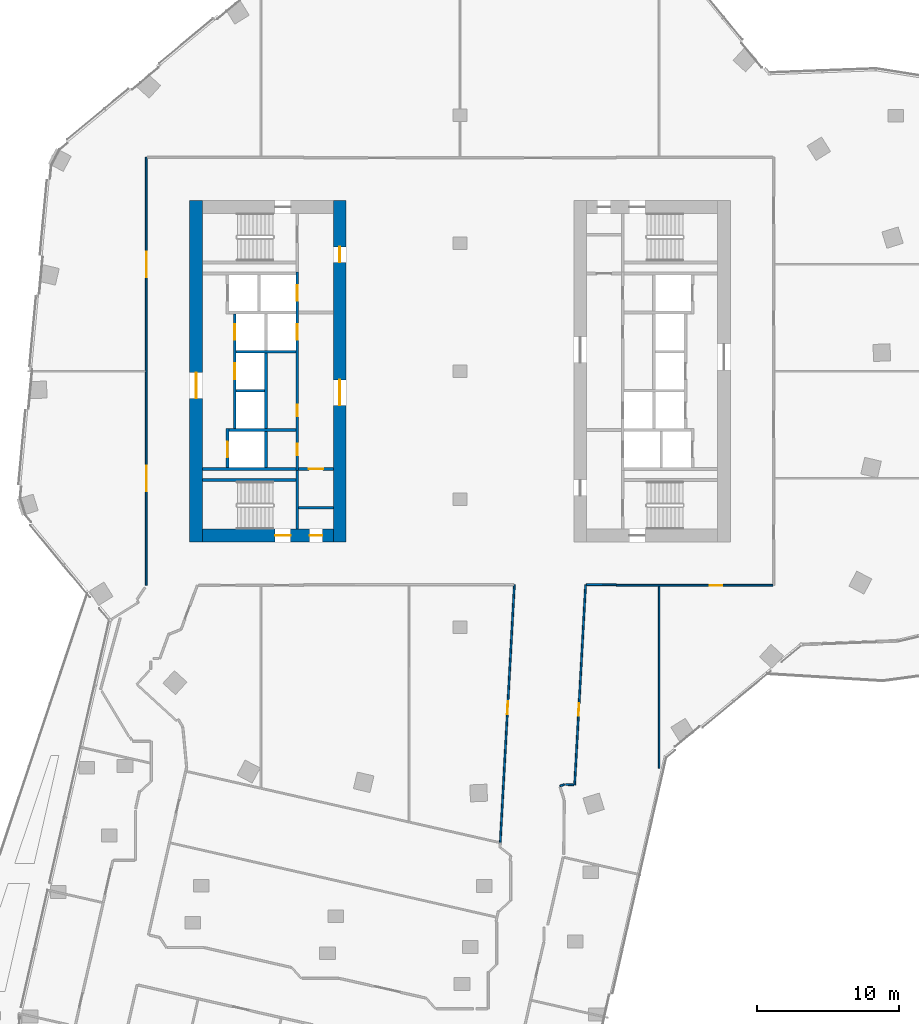
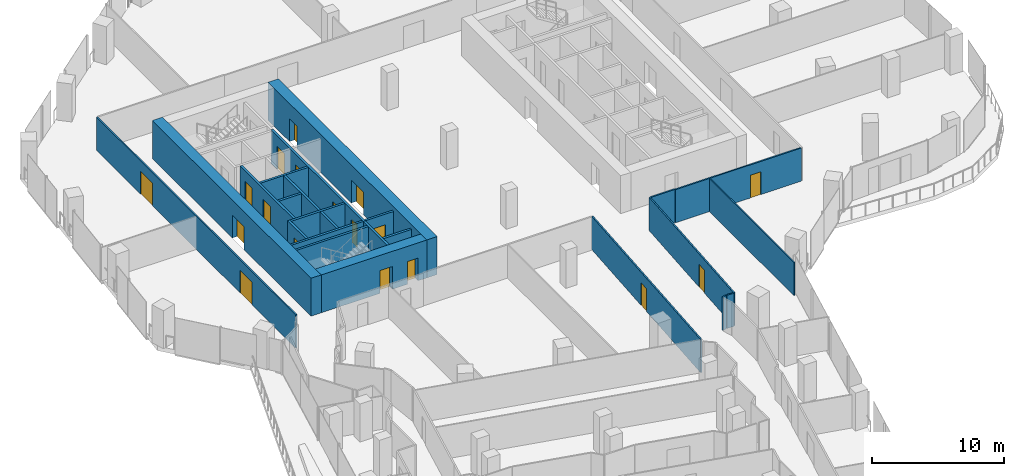
# One storey, part 20 of 28: 24 walls, 18 doors, 18 openings.
"""IFC4 building model written with IfcOpenShell, lengths in metres."""

import ifcopenshell
import ifcopenshell.guid

model = None  # the IFC model being written
_history = None  # IfcOwnerHistory: only IFC2X3 demands one
_inside = {}  # id of a spatial element -> (the spatial element, [elements in it])
_under = {}  # id of a project, library or spatial element -> (it, [spatial elements below it])
_declared = {}  # id of a project -> (the project, [libraries it declares])
_typed = {}  # id of a type object -> (the type object, [elements of that type])
_made_of = {}  # id of a material, layer set ... -> (it, [elements and type objects made of it])


def new_model(schema):
    """Start an empty IFC model of exactly this schema.

    Asked for "IFC4X3", IfcOpenShell would pick the latest addendum, in which some entities
    have other attributes; the version numbers below select the first issue.
    IFC2X3 requires an IfcOwnerHistory on every rooted entity: one is made here for all.
    """
    global model, _history
    if schema == "IFC4X3":
        model = ifcopenshell.file(schema_version=(4, 3, 0, 0))
    else:
        model = ifcopenshell.file(schema=schema)
    _inside.clear()
    _under.clear()
    _declared.clear()
    _typed.clear()
    _made_of.clear()
    _history = None
    if model.schema == "IFC2X3":
        org = make("IfcOrganization", Name="unknown")
        user = make(
            "IfcPersonAndOrganization",
            ThePerson=make("IfcPerson", FamilyName="unknown"),
            TheOrganization=org,
        )
        app = make(
            "IfcApplication",
            ApplicationDeveloper=org,
            Version="unknown",
            ApplicationFullName="unknown",
            ApplicationIdentifier="unknown",
        )
        _history = make(
            "IfcOwnerHistory",
            OwningUser=user,
            OwningApplication=app,
            ChangeAction="ADDED",
            CreationDate=0,
        )
    return model


def make(cls, **values):
    """One entity of the class cls with the attributes given. An attribute that is None is left unset."""
    return model.create_entity(
        cls, **{name: value for name, value in values.items() if value is not None}
    )


def rooted(cls, **values):
    """An entity with a GlobalId (a new one), such as an element, a storey or a relation."""
    return make(cls, GlobalId=ifcopenshell.guid.new(), OwnerHistory=_history, **values)


def si_unit(unit_type, name, prefix=None):
    """IfcSIUnit, for example si_unit("LENGTHUNIT", "METRE", prefix="MILLI")."""
    return make("IfcSIUnit", UnitType=unit_type, Prefix=prefix, Name=name)


def assignment(units):
    """IfcUnitAssignment: the units of a project."""
    return None if units is None else make("IfcUnitAssignment", Units=units)


def point(xyz):
    """IfcCartesianPoint."""
    return None if xyz is None else make("IfcCartesianPoint", Coordinates=xyz)


def direction(xyz):
    """IfcDirection."""
    return None if xyz is None else make("IfcDirection", DirectionRatios=xyz)


def frame(location, z_axis=None, x_axis=None):
    """IfcAxis2Placement3D, a coordinate frame: its origin and axes. An axis left out is left unset."""
    return make(
        "IfcAxis2Placement3D",
        Location=point(location),
        Axis=direction(z_axis),
        RefDirection=direction(x_axis),
    )


def frame_2d(location, x_axis=None):
    """IfcAxis2Placement2D, a coordinate frame in the plane: its origin and x axis."""
    return make(
        "IfcAxis2Placement2D", Location=point(location), RefDirection=direction(x_axis)
    )


def origin():
    """The frame at (0, 0, 0) with its axes left unset."""
    return frame((0.0, 0.0, 0.0))


def place(relative_to, where):
    """IfcLocalPlacement: puts the frame where relative to a parent placement (None: the world)."""
    return make(
        "IfcLocalPlacement", PlacementRelTo=relative_to, RelativePlacement=where
    )


def context(
    kind, dimensions, precision=None, world=None, true_north=None, identifier=None
):
    """IfcGeometricRepresentationContext, for example the 3D "Model" context."""
    return make(
        "IfcGeometricRepresentationContext",
        ContextIdentifier=identifier,
        ContextType=kind,
        CoordinateSpaceDimension=dimensions,
        Precision=precision,
        WorldCoordinateSystem=world,
        TrueNorth=true_north,
    )


def subcontext(parent, identifier, kind, view, scale=None):
    """IfcGeometricRepresentationSubContext, for example "Body" below "Model"."""
    return make(
        "IfcGeometricRepresentationSubContext",
        ContextIdentifier=identifier,
        ContextType=kind,
        ParentContext=parent,
        TargetScale=scale,
        TargetView=view,
    )


def project(units=None, contexts=None):
    """IfcProject with its units and contexts."""
    return rooted(
        "IfcProject",
        Name="project",
        RepresentationContexts=contexts,
        UnitsInContext=assignment(units),
    )


def spatial(cls, under=None, at=None, **own):
    """A site, building, storey or space (cls), placed at a placement, below another one or the project."""
    s = rooted(cls, ObjectPlacement=at, **own)
    if under is not None:
        _under.setdefault(under.id(), (under, []))[1].append(s)
    return s


def profile(cls, at=None, kind="AREA", **sizes):
    """A parametric profile (cls). Its sizes go by their IFC names, for example OverallWidth=200.0."""
    return make(cls, ProfileType=kind, Position=at, **sizes)


def rectangle(**sizes):
    """IfcRectangleProfileDef."""
    return profile("IfcRectangleProfileDef", **sizes)


def extrude(swept, where, along, depth):
    """IfcExtrudedAreaSolid: the profile swept, set in the frame where, extruded along a direction by depth."""
    return make(
        "IfcExtrudedAreaSolid",
        SweptArea=swept,
        Position=where,
        ExtrudedDirection=direction(along),
        Depth=depth,
    )


def shape(context_of_items, identifier, shape_type, items):
    """IfcShapeRepresentation: the items that make up one representation, for example the "Body"."""
    return make(
        "IfcShapeRepresentation",
        ContextOfItems=context_of_items,
        RepresentationIdentifier=identifier,
        RepresentationType=shape_type,
        Items=items,
    )


def material(Name=None, Category=None):
    """IfcMaterial."""
    return make("IfcMaterial", Name=Name, Category=Category)


def layer(
    of_material, thickness, ventilated=None, Name=None, Category=None, Priority=None
):
    """IfcMaterialLayer: one layer of a wall or slab, of a material (None: an air gap)."""
    return make(
        "IfcMaterialLayer",
        Material=of_material,
        LayerThickness=thickness,
        IsVentilated=ventilated,
        Name=Name,
        Category=Category,
        Priority=Priority,
    )


def layer_set(layers, Name=None):
    """IfcMaterialLayerSet."""
    return make("IfcMaterialLayerSet", MaterialLayers=layers, LayerSetName=Name)


def made_of(thing, what):
    """Note that an element or type object is made of a material, layer set ...; save() writes the relation."""
    if what is not None:
        _made_of.setdefault(what.id(), (what, []))[1].append(thing)
    return thing


def type_object(cls, material=None, **own):
    """A type object (cls), such as IfcWallType, which elements share."""
    return made_of(rooted(cls, **own), material)


def element(
    cls,
    number,
    at=None,
    inside=None,
    cuts=None,
    type_object=None,
    material=None,
    context=None,
    identifier="Body",
    shape_type=None,
    held_by="IfcProductDefinitionShape",
    body=None,
    shapes=None,
    **own,
):
    """One element of the class cls, such as IfcWall. Its Tag is "e" and its number.

    at: its placement. inside: the storey or other place that contains it. cuts: it is an
    opening in that element (IfcRelVoidsElement). A single representation is given by context,
    identifier, shape_type and body (its items); several are given by shapes. held_by: the class
    of the entity that holds the representations. save() writes the other relations.
    """
    e = rooted(cls, Tag="e%d" % number, ObjectPlacement=at, **own)
    if body is not None:
        shapes = [shape(context, identifier, shape_type, body)]
    if shapes is not None:
        e.Representation = make(held_by, Representations=shapes)
    if inside is not None:
        _inside.setdefault(inside.id(), (inside, []))[1].append(e)
    if cuts is not None:
        rooted(
            "IfcRelVoidsElement", RelatingBuildingElement=cuts, RelatedOpeningElement=e
        )
    if type_object is not None:
        _typed.setdefault(type_object.id(), (type_object, []))[1].append(e)
    return made_of(e, material)


def fill(opening, filler):
    """IfcRelFillsElement: the door or window that sits in an opening."""
    return rooted(
        "IfcRelFillsElement",
        RelatingOpeningElement=opening,
        RelatedBuildingElement=filler,
    )


def aggregate(whole, parts):
    """IfcRelAggregates: a whole, such as a stair, and the parts it consists of."""
    return rooted("IfcRelAggregates", RelatingObject=whole, RelatedObjects=parts)


def save(model, path):
    """Write the relations noted so far, then the file.

    IfcRelAggregates (storeys below a building ...), IfcRelContainedInSpatialStructure (elements
    in a storey), IfcRelDefinesByType, IfcRelAssociatesMaterial and IfcRelDeclares: one each for
    every whole, place, type object, material and project.
    """
    for whole, parts in _under.values():
        aggregate(whole, parts)
    for where, things in _inside.values():
        rooted(
            "IfcRelContainedInSpatialStructure",
            RelatedElements=things,
            RelatingStructure=where,
        )
    for kind, things in _typed.values():
        rooted("IfcRelDefinesByType", RelatedObjects=things, RelatingType=kind)
    for what, things in _made_of.values():
        rooted("IfcRelAssociatesMaterial", RelatedObjects=things, RelatingMaterial=what)
    for by, libraries in _declared.values():
        rooted("IfcRelDeclares", RelatingContext=by, RelatedDefinitions=libraries)
    model.write(path)


model = new_model("IFC4")

# Units and contexts
model_context = context("Model", 3, precision=1e-05, world=origin(), true_north=direction((0.0, 1.0)))
body_context = subcontext(model_context, "Body", "Model", "MODEL_VIEW")
ifc_project = project(units=[si_unit("LENGTHUNIT", "METRE"), si_unit("AREAUNIT", "SQUARE_METRE"), si_unit("VOLUMEUNIT", "CUBIC_METRE"), si_unit("PLANEANGLEUNIT", "RADIAN"), si_unit("MASSUNIT", "GRAM", prefix="KILO")], contexts=[model_context])

# Site, building, storey
site_placement = place(None, origin())
site = spatial("IfcSite", under=ifc_project, at=site_placement, CompositionType="ELEMENT")
building_placement = place(site_placement, origin())
building = spatial("IfcBuilding", under=site, at=building_placement, Name="Orlundy Tower", CompositionType="ELEMENT")
storey_placement = place(building_placement, frame((0.0, 0.0, 167.10009765625)))
storey = spatial("IfcBuildingStorey", under=building, at=storey_placement, Name="L43", CompositionType="ELEMENT", Elevation=167.10009765625)

# Wall, openings, doors
ifc_material_1 = material(Name="Concrete C70/85", Category="concrete")
ifc_layer_1 = layer(ifc_material_1, 0.89990234375)
ifc_layer_set_1 = layer_set([ifc_layer_1], Name="CORE WALL 900 C70/85")
wall_type_1 = type_object("IfcWallType", Name="CORE WALL 900 C70/85", PredefinedType="SHEAR", material=ifc_layer_set_1)
wall_1_placement = place(storey_placement, frame((-18.10009765625, -11.550048828125, 0.0), z_axis=(0.0, 0.0, 1.0), x_axis=(1.0, 0.0, 0.0)))
wall_1 = element("IfcWall", 1, at=wall_1_placement, inside=storey, type_object=wall_type_1, Name="Core wall W-S L43", PredefinedType="SHEAR", context=body_context, shape_type="SweptSolid", body=[
    extrude(rectangle(XDim=9.2001953125, YDim=0.89990234375, at=frame_2d((4.60009765625, 0.0))), origin(), (0.0, 0.0, 1.0), 3.5),
])
opening_1_placement = place(wall_1_placement, frame((5.10009765625, 0.0, 0.0)))
opening_1 = element("IfcOpeningElement", 2, at=opening_1_placement, cuts=wall_1, Name="Opening 34013", PredefinedType="OPENING", context=body_context, shape_type="SweptSolid", body=[
    extrude(rectangle(XDim=1.10009765625, YDim=2.10009765625, at=frame_2d((0.550048828125, 1.050048828125))), frame((0.0, 0.4599609375, 0.0), z_axis=(0.0, -1.0, 0.0), x_axis=(1.0, 0.0, 0.0)), (0.0, 0.0, 1.0), 0.919921875),
])
opening_2_placement = place(wall_1_placement, frame((7.530029296875, 0.0, 0.0)))
opening_2 = element("IfcOpeningElement", 3, at=opening_2_placement, cuts=wall_1, Name="Opening 34015", PredefinedType="OPENING", context=body_context, shape_type="SweptSolid", body=[
    extrude(rectangle(XDim=0.89990234375, YDim=2.10009765625, at=frame_2d((0.449951171875, 1.050048828125))), frame((0.0, 0.4599609375, 0.0), z_axis=(0.0, -1.0, 0.0), x_axis=(1.0, 0.0, 0.0)), (0.0, 0.0, 1.0), 0.919921875),
])
ifc_material_2 = material(Name="Timber door set", Category="wood")
door_type_1 = type_object("IfcDoorType", Name="Room Door 900x2100", OperationType="SINGLE_SWING_LEFT", PredefinedType="DOOR", material=ifc_material_2)
door_1_placement = place(opening_2_placement, origin())
door_1 = element("IfcDoor", 4, at=door_1_placement, inside=storey, type_object=door_type_1, Name="Store door 34015", OperationType="SINGLE_SWING_RIGHT", OverallHeight=2.10009765625, OverallWidth=0.89990234375, PredefinedType="DOOR", context=body_context, shape_type="SweptSolid", body=[
    extrude(rectangle(XDim=0.89990234375, YDim=2.10009765625, at=frame_2d((0.449951171875, 1.050048828125))), frame((0.0, 0.02490234375, 0.0), z_axis=(0.0, -1.0, 0.0), x_axis=(1.0, 0.0, 0.0)), (0.0, 0.0, 1.0), 0.050048828125),
])
fill(opening_2, door_1)
ifc_material_3 = material(Name="Steel door set", Category="steel")
door_type_2 = type_object("IfcDoorType", Name="Stair Door 1100x2100", OperationType="SINGLE_SWING_LEFT", PredefinedType="DOOR", material=ifc_material_3)
door_2_placement = place(opening_1_placement, origin())
door_2 = element("IfcDoor", 5, at=door_2_placement, inside=storey, type_object=door_type_2, Name="Stair door 34013", OperationType="SINGLE_SWING_RIGHT", OverallHeight=2.10009765625, OverallWidth=1.10009765625, PredefinedType="DOOR", context=body_context, shape_type="SweptSolid", body=[
    extrude(rectangle(XDim=1.10009765625, YDim=2.10009765625, at=frame_2d((0.550048828125, 1.050048828125))), frame((0.0, 0.02490234375, 0.0), z_axis=(0.0, -1.0, 0.0), x_axis=(1.0, 0.0, 0.0)), (0.0, 0.0, 1.0), 0.050048828125),
])
fill(opening_1, door_2)

# Wall, opening, door
wall_2_placement = place(storey_placement, frame((-18.550048828125, -12.0, 0.0), z_axis=(0.0, 0.0, 1.0), x_axis=(0.0, 1.0, 0.0)))
wall_2 = element("IfcWall", 6, at=wall_2_placement, inside=storey, type_object=wall_type_1, Name="Core wall W-W L43", PredefinedType="SHEAR", context=body_context, shape_type="SweptSolid", body=[
    extrude(rectangle(XDim=24.0, YDim=0.89990234375, at=frame_2d((12.0, 0.0))), origin(), (0.0, 0.0, 1.0), 3.5),
])
opening_3_placement = place(wall_2_placement, frame((10.10009765625, 0.0, 0.0)))
opening_3 = element("IfcOpeningElement", 7, at=opening_3_placement, cuts=wall_2, Name="Opening 34010", PredefinedType="OPENING", context=body_context, shape_type="SweptSolid", body=[
    extrude(rectangle(XDim=1.800048828125, YDim=2.10009765625, at=frame_2d((0.89990234375, 1.050048828125))), frame((0.0, 0.4599609375, 0.0), z_axis=(0.0, -1.0, 0.0), x_axis=(1.0, 0.0, 0.0)), (0.0, 0.0, 1.0), 0.919921875),
])
ifc_material_4 = material(Name="Timber door set", Category="wood")
door_type_3 = type_object("IfcDoorType", Name="Lobby Door 1800x2100", OperationType="DOUBLE_DOOR_DOUBLE_SWING", PredefinedType="DOOR", material=ifc_material_4)
door_3_placement = place(opening_3_placement, origin())
door_3 = element("IfcDoor", 8, at=door_3_placement, inside=storey, type_object=door_type_3, Name="Lift lobby door 34010", OperationType="SINGLE_SWING_LEFT", OverallHeight=2.10009765625, OverallWidth=1.800048828125, PredefinedType="DOOR", context=body_context, shape_type="SweptSolid", body=[
    extrude(rectangle(XDim=1.800048828125, YDim=2.10009765625, at=frame_2d((0.89990234375, 1.050048828125))), frame((0.0, 0.02490234375, 0.0), z_axis=(0.0, -1.0, 0.0), x_axis=(1.0, 0.0, 0.0)), (0.0, 0.0, 1.0), 0.050048828125),
])
fill(opening_3, door_3)

# Wall, openings, doors
wall_3_placement = place(storey_placement, frame((-8.449951171875, -12.0, 0.0), z_axis=(0.0, 0.0, 1.0), x_axis=(0.0, 1.0, 0.0)))
wall_3 = element("IfcWall", 9, at=wall_3_placement, inside=storey, type_object=wall_type_1, Name="Core wall W-E L43", PredefinedType="SHEAR", context=body_context, shape_type="SweptSolid", body=[
    extrude(rectangle(XDim=24.0, YDim=0.89990234375, at=frame_2d((12.0, 0.0))), origin(), (0.0, 0.0, 1.0), 3.5),
])
opening_4_placement = place(wall_3_placement, frame((9.60009765625, 0.0, 0.0)))
opening_4 = element("IfcOpeningElement", 10, at=opening_4_placement, cuts=wall_3, Name="Opening 34009", PredefinedType="OPENING", context=body_context, shape_type="SweptSolid", body=[
    extrude(rectangle(XDim=1.800048828125, YDim=2.10009765625, at=frame_2d((0.89990234375, 1.050048828125))), frame((0.0, 0.4599609375, 0.0), z_axis=(0.0, -1.0, 0.0), x_axis=(1.0, 0.0, 0.0)), (0.0, 0.0, 1.0), 0.919921875),
])
opening_5_placement = place(wall_3_placement, frame((19.64990234375, 0.0, 0.0)))
opening_5 = element("IfcOpeningElement", 11, at=opening_5_placement, cuts=wall_3, Name="Opening 34011", PredefinedType="OPENING", context=body_context, shape_type="SweptSolid", body=[
    extrude(rectangle(XDim=1.10009765625, YDim=2.10009765625, at=frame_2d((0.550048828125, 1.050048828125))), frame((0.0, 0.4599609375, 0.0), z_axis=(0.0, -1.0, 0.0), x_axis=(1.0, 0.0, 0.0)), (0.0, 0.0, 1.0), 0.919921875),
])
ifc_material_5 = material(Name="Steel door set", Category="steel")
door_type_4 = type_object("IfcDoorType", Name="Fire-fighting Lobby Door 1100x2100", OperationType="SINGLE_SWING_LEFT", PredefinedType="DOOR", material=ifc_material_5)
door_4_placement = place(opening_5_placement, origin())
door_4 = element("IfcDoor", 12, at=door_4_placement, inside=storey, type_object=door_type_4, Name="Fire-fighting lobby door 34011", OperationType="SINGLE_SWING_RIGHT", OverallHeight=2.10009765625, OverallWidth=1.10009765625, PredefinedType="DOOR", context=body_context, shape_type="SweptSolid", body=[
    extrude(rectangle(XDim=1.10009765625, YDim=2.10009765625, at=frame_2d((0.550048828125, 1.050048828125))), frame((0.0, 0.02490234375, 0.0), z_axis=(0.0, -1.0, 0.0), x_axis=(1.0, 0.0, 0.0)), (0.0, 0.0, 1.0), 0.050048828125),
])
fill(opening_5, door_4)
door_5_placement = place(opening_4_placement, origin())
door_5 = element("IfcDoor", 13, at=door_5_placement, inside=storey, type_object=door_type_3, Name="Lift lobby door 34009", OperationType="SINGLE_SWING_LEFT", OverallHeight=2.10009765625, OverallWidth=1.800048828125, PredefinedType="DOOR", context=body_context, shape_type="SweptSolid", body=[
    extrude(rectangle(XDim=1.800048828125, YDim=2.10009765625, at=frame_2d((0.89990234375, 1.050048828125))), frame((0.0, 0.02490234375, 0.0), z_axis=(0.0, -1.0, 0.0), x_axis=(1.0, 0.0, 0.0)), (0.0, 0.0, 1.0), 0.050048828125),
])
fill(opening_4, door_5)

# Walls
ifc_material_6 = material(Name="Gypsum board partition")
ifc_layer_2 = layer(ifc_material_6, 0.10009765625)
ifc_layer_set_2 = layer_set([ifc_layer_2], Name="Floor partition 100")
wall_type_2 = type_object("IfcWallType", Name="Floor partition 100", PredefinedType="PARTITIONING", material=ifc_layer_set_2)
wall_4_placement = place(storey_placement, frame((14.0, -27.9130859375, 0.0), z_axis=(0.0, 0.0, 1.0), x_axis=(0.0, 1.0, 0.0)))
element("IfcWall", 14, at=wall_4_placement, inside=storey, type_object=wall_type_2, Name="wall-int-L43-081", PredefinedType="PARTITIONING", context=body_context, shape_type="SweptSolid", body=[
    extrude(rectangle(XDim=12.799072265625, YDim=0.10009765625, at=frame_2d((6.3994140625, 0.0))), origin(), (0.0, 0.0, 1.0), 3.059814453125),
])
ifc_material_7 = material(Name="Gypsum board partition, double layer")
ifc_layer_3 = layer(ifc_material_7, 0.125)
ifc_layer_set_3 = layer_set([ifc_layer_3], Name="Floor partition 125")
wall_type_3 = type_object("IfcWallType", Name="Floor partition 125", PredefinedType="PARTITIONING", material=ifc_layer_set_3)
wall_5_placement = place(storey_placement, frame((7.419921875, -29.048095703125, 0.0), z_axis=(0.0, 0.0, 1.0), x_axis=(0.998362357427, -0.057206671584, 0.0)))
element("IfcWall", 15, at=wall_5_placement, inside=storey, type_object=wall_type_3, Name="wall-int-L43-026", PredefinedType="PARTITIONING", context=body_context, shape_type="SweptSolid", body=[
    extrude(rectangle(XDim=0.576171875, YDim=0.125, at=frame_2d((0.2880859375, 0.0))), origin(), (0.0, 0.0, 1.0), 3.059814453125),
])

# Wall, opening, door
wall_6_placement = place(storey_placement, frame((21.988037109375, -15.051025390625, 0.0), z_axis=(0.0, 0.0, 1.0), x_axis=(-1.0, 0.0, 0.0)))
wall_6 = element("IfcWall", 16, at=wall_6_placement, inside=storey, type_object=wall_type_3, Name="wall-int-L43-041", PredefinedType="PARTITIONING", context=body_context, shape_type="SweptSolid", body=[
    extrude(rectangle(XDim=10.9970703125, YDim=0.125, at=frame_2d((5.49853515625, 0.0))), origin(), (0.0, 0.0, 1.0), 3.059814453125),
])
opening_6_placement = place(wall_6_placement, frame((3.53759765625, 0.0, 0.0)))
opening_6 = element("IfcOpeningElement", 17, at=opening_6_placement, cuts=wall_6, Name="Opening 34115", PredefinedType="OPENING", context=body_context, shape_type="SweptSolid", body=[
    extrude(rectangle(XDim=0.89990234375, YDim=2.10009765625, at=frame_2d((0.449951171875, 1.050048828125))), frame((0.0, 0.072509765625, 0.0), z_axis=(0.0, -1.0, 0.0), x_axis=(1.0, 0.0, 0.0)), (0.0, 0.0, 1.0), 0.14501953125),
])
ifc_material_8 = material(Name="Timber door leaf", Category="wood")
door_type_5 = type_object("IfcDoorType", Name="Floor door single 900 FD30S", OperationType="NOTDEFINED", PredefinedType="DOOR", material=ifc_material_8)
door_6_placement = place(opening_6_placement, origin())
door_6 = element("IfcDoor", 18, at=door_6_placement, inside=storey, type_object=door_type_5, Name="Door 34115", OperationType="SINGLE_SWING_LEFT", OverallHeight=2.10009765625, OverallWidth=0.89990234375, PredefinedType="DOOR", context=body_context, shape_type="SweptSolid", body=[
    extrude(rectangle(XDim=0.89990234375, YDim=2.10009765625, at=frame_2d((0.449951171875, 1.050048828125))), frame((0.0, 0.02490234375, 0.0), z_axis=(0.0, -1.0, 0.0), x_axis=(1.0, 0.0, 0.0)), (0.0, 0.0, 1.0), 0.050048828125),
])
fill(opening_6, door_6)

# Walls
wall_7_placement = place(storey_placement, frame((8.889892578125, -15.0, 0.0), z_axis=(0.0, 0.0, 1.0), x_axis=(0.999999891884, -0.000465008087, 0.0)))
element("IfcWall", 19, at=wall_7_placement, inside=storey, type_object=wall_type_3, Name="wall-int-L43-043", PredefinedType="PARTITIONING", context=body_context, shape_type="SweptSolid", body=[
    extrude(rectangle(XDim=2.10009765625, YDim=0.125, at=frame_2d((1.050048828125, 0.0))), origin(), (0.0, 0.0, 1.0), 3.059814453125),
])
wall_8_placement = place(storey_placement, frame((7.01611328125, -29.15087890625, 0.0), z_axis=(0.0, 0.0, 1.0), x_axis=(0.955157326174, 0.296098771114, 0.0)))
element("IfcWall", 20, at=wall_8_placement, inside=storey, type_object=wall_type_3, Name="wall-int-L43-051", PredefinedType="PARTITIONING", context=body_context, shape_type="SweptSolid", body=[
    extrude(rectangle(XDim=0.35791015625, YDim=0.125, at=frame_2d((0.178955078125, 0.0))), origin(), (0.0, 0.0, 1.0), 3.059814453125),
])

# Wall, opening, door
wall_9_placement = place(storey_placement, frame((8.827880859375, -14.9990234375, 0.0), z_axis=(0.0, 0.0, 1.0), x_axis=(-0.054660912328, -0.998504974782, 0.0)))
wall_9 = element("IfcWall", 21, at=wall_9_placement, inside=storey, type_object=wall_type_3, Name="wall-int-L43-076", PredefinedType="PARTITIONING", context=body_context, shape_type="SweptSolid", body=[
    extrude(rectangle(XDim=14.10498046875, YDim=0.125, at=frame_2d((7.052490234375, 0.0))), origin(), (0.0, 0.0, 1.0), 3.059814453125),
])
opening_7_placement = place(wall_9_placement, frame((8.335693359375, 0.0, 0.0)))
opening_7 = element("IfcOpeningElement", 22, at=opening_7_placement, cuts=wall_9, Name="Opening 34114", PredefinedType="OPENING", context=body_context, shape_type="SweptSolid", body=[
    extrude(rectangle(XDim=0.89990234375, YDim=2.10009765625, at=frame_2d((0.449951171875, 1.050048828125))), frame((0.0, 0.072509765625, 0.0), z_axis=(0.0, -1.0, 0.0), x_axis=(1.0, 0.0, 0.0)), (0.0, 0.0, 1.0), 0.14501953125),
])
door_7_placement = place(opening_7_placement, origin())
door_7 = element("IfcDoor", 23, at=door_7_placement, inside=storey, type_object=door_type_5, Name="Door 34114", OperationType="SINGLE_SWING_RIGHT", OverallHeight=2.10009765625, OverallWidth=0.89990234375, PredefinedType="DOOR", context=body_context, shape_type="SweptSolid", body=[
    extrude(rectangle(XDim=0.89990234375, YDim=2.10009765625, at=frame_2d((0.449951171875, 1.050048828125))), frame((0.0, 0.02490234375, 0.0), z_axis=(0.0, -1.0, 0.0), x_axis=(1.0, 0.0, 0.0)), (0.0, 0.0, 1.0), 0.050048828125),
])
fill(opening_7, door_7)

wall_10_placement = place(storey_placement, frame((2.825927734375, -33.14892578125, 0.0), z_axis=(0.0, 0.0, 1.0), x_axis=(0.054748402429, 0.998500181488, 0.0)))
wall_10 = element("IfcWall", 24, at=wall_10_placement, inside=storey, type_object=wall_type_3, Name="wall-int-L43-077", PredefinedType="PARTITIONING", context=body_context, shape_type="SweptSolid", body=[
    extrude(rectangle(XDim=18.17626953125, YDim=0.125, at=frame_2d((9.088134765625, 0.0))), origin(), (0.0, 0.0, 1.0), 3.059814453125),
])
opening_8_placement = place(wall_10_placement, frame((9.05859375, 0.0, 0.0)))
opening_8 = element("IfcOpeningElement", 25, at=opening_8_placement, cuts=wall_10, Name="Opening 34113", PredefinedType="OPENING", context=body_context, shape_type="SweptSolid", body=[
    extrude(rectangle(XDim=0.89990234375, YDim=2.10009765625, at=frame_2d((0.449951171875, 1.050048828125))), frame((0.0, 0.072509765625, 0.0), z_axis=(0.0, -1.0, 0.0), x_axis=(1.0, 0.0, 0.0)), (0.0, 0.0, 1.0), 0.14501953125),
])
door_8_placement = place(opening_8_placement, origin())
door_8 = element("IfcDoor", 26, at=door_8_placement, inside=storey, type_object=door_type_5, Name="Door 34113", OperationType="SINGLE_SWING_RIGHT", OverallHeight=2.10009765625, OverallWidth=0.89990234375, PredefinedType="DOOR", context=body_context, shape_type="SweptSolid", body=[
    extrude(rectangle(XDim=0.89990234375, YDim=2.10009765625, at=frame_2d((0.449951171875, 1.050048828125))), frame((0.0, 0.02490234375, 0.0), z_axis=(0.0, -1.0, 0.0), x_axis=(1.0, 0.0, 0.0)), (0.0, 0.0, 1.0), 0.050048828125),
])
fill(opening_8, door_8)

# Wall, openings, doors
wall_11_placement = place(storey_placement, frame((-22.050048828125, -15.051025390625, 0.0), z_axis=(0.0, 0.0, 1.0), x_axis=(0.0, 1.0, 0.0)))
wall_11 = element("IfcWall", 27, at=wall_11_placement, inside=storey, type_object=wall_type_3, Name="wall-int-L43-097", PredefinedType="PARTITIONING", context=body_context, shape_type="SweptSolid", body=[
    extrude(rectangle(XDim=30.10205078125, YDim=0.125, at=frame_2d((15.051025390625, 0.0))), origin(), (0.0, 0.0, 1.0), 3.059814453125),
])
opening_9_placement = place(wall_11_placement, frame((6.60009765625, 0.0, 0.0)))
opening_9 = element("IfcOpeningElement", 28, at=opening_9_placement, cuts=wall_11, Name="Opening 34109", PredefinedType="OPENING", context=body_context, shape_type="SweptSolid", body=[
    extrude(rectangle(XDim=1.800048828125, YDim=2.10009765625, at=frame_2d((0.89990234375, 1.050048828125))), frame((0.0, 0.072509765625, 0.0), z_axis=(0.0, -1.0, 0.0), x_axis=(1.0, 0.0, 0.0)), (0.0, 0.0, 1.0), 0.14501953125),
])
opening_10_placement = place(wall_11_placement, frame((21.65087890625, 0.0, 0.0)))
opening_10 = element("IfcOpeningElement", 29, at=opening_10_placement, cuts=wall_11, Name="Opening 34122", PredefinedType="OPENING", context=body_context, shape_type="SweptSolid", body=[
    extrude(rectangle(XDim=1.800048828125, YDim=2.10009765625, at=frame_2d((0.89990234375, 1.050048828125))), frame((0.0, 0.072509765625, 0.0), z_axis=(0.0, -1.0, 0.0), x_axis=(1.0, 0.0, 0.0)), (0.0, 0.0, 1.0), 0.14501953125),
])
ifc_material_9 = material(Name="Timber door leaf", Category="wood")
door_type_6 = type_object("IfcDoorType", Name="Floor door double 1800 FD30S", OperationType="NOTDEFINED", PredefinedType="DOOR", material=ifc_material_9)
door_9_placement = place(opening_9_placement, origin())
door_9 = element("IfcDoor", 30, at=door_9_placement, inside=storey, type_object=door_type_6, Name="Door 34109", OperationType="DOUBLE_DOOR_SINGLE_SWING", OverallHeight=2.10009765625, OverallWidth=1.800048828125, PredefinedType="DOOR", context=body_context, shape_type="SweptSolid", body=[
    extrude(rectangle(XDim=1.800048828125, YDim=2.10009765625, at=frame_2d((0.89990234375, 1.050048828125))), frame((0.0, 0.02490234375, 0.0), z_axis=(0.0, -1.0, 0.0), x_axis=(1.0, 0.0, 0.0)), (0.0, 0.0, 1.0), 0.050048828125),
])
fill(opening_9, door_9)
door_10_placement = place(opening_10_placement, origin())
door_10 = element("IfcDoor", 31, at=door_10_placement, inside=storey, type_object=door_type_6, Name="Door 34122", OperationType="DOUBLE_DOOR_SINGLE_SWING", OverallHeight=2.10009765625, OverallWidth=1.800048828125, PredefinedType="DOOR", context=body_context, shape_type="SweptSolid", body=[
    extrude(rectangle(XDim=1.800048828125, YDim=2.10009765625, at=frame_2d((0.89990234375, 1.050048828125))), frame((0.0, 0.02490234375, 0.0), z_axis=(0.0, -1.0, 0.0), x_axis=(1.0, 0.0, 0.0)), (0.0, 0.0, 1.0), 0.050048828125),
])
fill(opening_10, door_10)

# Walls
ifc_material_10 = material(Name="Concrete C40/50", Category="concrete")
ifc_layer_4 = layer(ifc_material_10, 0.199951171875)
ifc_layer_set_4 = layer_set([ifc_layer_4], Name="Load-bearing Shaft Wall 200")
wall_type_4 = type_object("IfcWallType", Name="Load-bearing Shaft Wall 200", PredefinedType="SOLIDWALL", material=ifc_layer_set_4)
wall_12_placement = place(storey_placement, frame((-11.43994140625, -11.10009765625, 0.0), z_axis=(0.0, 0.0, 1.0), x_axis=(0.0, 1.0, 0.0)))
element("IfcWall", 32, at=wall_12_placement, inside=storey, type_object=wall_type_4, Name="Shaft wall W34-stair-end-s", PredefinedType="SOLIDWALL", context=body_context, shape_type="SweptSolid", body=[
    extrude(rectangle(XDim=4.125, YDim=0.199951171875, at=frame_2d((2.0625, 0.0))), origin(), (0.0, 0.0, 1.0), 3.079833984375),
])
wall_13_placement = place(storey_placement, frame((-11.5400390625, -7.64990234375, 0.0), z_axis=(0.0, 0.0, 1.0), x_axis=(-1.0, 0.0, 0.0)))
element("IfcWall", 33, at=wall_13_placement, inside=storey, type_object=wall_type_4, Name="Shaft wall W34-stair-side-s", PredefinedType="SOLIDWALL", context=body_context, shape_type="SweptSolid", body=[
    extrude(rectangle(XDim=6.56005859375, YDim=0.199951171875, at=frame_2d((3.280029296875, 0.0))), origin(), (0.0, 0.0, 1.0), 3.079833984375),
])

# Wall, opening, door
ifc_material_11 = material(Name="Gypsum board partition on steel studs", Category="steel")
ifc_layer_5 = layer(ifc_material_11, 0.199951171875)
ifc_layer_set_5 = layer_set([ifc_layer_5], Name="Partition 200")
wall_type_5 = type_object("IfcWallType", Name="Partition 200", PredefinedType="PARTITIONING", material=ifc_layer_set_5)
wall_14_placement = place(storey_placement, frame((-8.89990234375, -6.875, 0.0), z_axis=(0.0, 0.0, 1.0), x_axis=(-1.0, 0.0, 0.0)))
wall_14 = element("IfcWall", 34, at=wall_14_placement, inside=storey, type_object=wall_type_5, Name="Partition wall W34-end-s", PredefinedType="PARTITIONING", context=body_context, shape_type="SweptSolid", body=[
    extrude(rectangle(XDim=2.440185546875, YDim=0.199951171875, at=frame_2d((1.22021484375, 0.0))), origin(), (0.0, 0.0, 1.0), 3.079833984375),
])
opening_11_placement = place(wall_14_placement, frame((0.719970703125, 0.0, 0.0)))
opening_11 = element("IfcOpeningElement", 35, at=opening_11_placement, cuts=wall_14, Name="Opening 34016", PredefinedType="OPENING", context=body_context, shape_type="SweptSolid", body=[
    extrude(rectangle(XDim=1.0, YDim=2.10009765625, at=frame_2d((0.5, 1.050048828125))), frame((0.0, 0.110107421875, 0.0), z_axis=(0.0, -1.0, 0.0), x_axis=(1.0, 0.0, 0.0)), (0.0, 0.0, 1.0), 0.22021484375),
])
ifc_material_12 = material(Name="Timber door set", Category="wood")
door_type_7 = type_object("IfcDoorType", Name="Accessible Door 1000x2100", OperationType="SINGLE_SWING_LEFT", PredefinedType="DOOR", material=ifc_material_12)
door_11_placement = place(opening_11_placement, origin())
door_11 = element("IfcDoor", 36, at=door_11_placement, inside=storey, type_object=door_type_7, Name="Accessible WC door 34016", OperationType="SINGLE_SWING_RIGHT", OverallHeight=2.10009765625, OverallWidth=1.0, PredefinedType="DOOR", context=body_context, shape_type="SweptSolid", body=[
    extrude(rectangle(XDim=1.0, YDim=2.10009765625, at=frame_2d((0.5, 1.050048828125))), frame((0.0, 0.02490234375, 0.0), z_axis=(0.0, -1.0, 0.0), x_axis=(1.0, 0.0, 0.0)), (0.0, 0.0, 1.0), 0.050048828125),
])
fill(opening_11, door_11)

# Walls
wall_15_placement = place(storey_placement, frame((-8.89990234375, -9.60009765625, 0.0), z_axis=(0.0, 0.0, 1.0), x_axis=(-1.0, 0.0, 0.0)))
element("IfcWall", 37, at=wall_15_placement, inside=storey, type_object=wall_type_5, Name="Partition wall W34-room-s0", PredefinedType="PARTITIONING", context=body_context, shape_type="SweptSolid", body=[
    extrude(rectangle(XDim=2.440185546875, YDim=0.199951171875, at=frame_2d((1.22021484375, 0.0))), origin(), (0.0, 0.0, 1.0), 3.079833984375),
])
ifc_material_13 = material(Name="Fire-rated blockwork shaft wall", Category="masonry")
ifc_layer_6 = layer(ifc_material_13, 0.199951171875)
ifc_layer_set_6 = layer_set([ifc_layer_6], Name="Shaft Wall 200")
wall_type_6 = type_object("IfcWallType", Name="Shaft Wall 200", PredefinedType="SOLIDWALL", material=ifc_layer_set_6)
wall_16_placement = place(storey_placement, frame((-11.5400390625, -6.875, 0.0), z_axis=(0.0, 0.0, 1.0), x_axis=(-1.0, 0.0, 0.0)))
element("IfcWall", 38, at=wall_16_placement, inside=storey, type_object=wall_type_6, Name="Shaft wall W34-zone-s", PredefinedType="SOLIDWALL", context=body_context, shape_type="SweptSolid", body=[
    extrude(rectangle(XDim=6.56005859375, YDim=0.199951171875, at=frame_2d((3.280029296875, 0.0))), origin(), (0.0, 0.0, 1.0), 3.079833984375),
])
wall_17_placement = place(storey_placement, frame((-11.5400390625, -4.125, 0.0), z_axis=(0.0, 0.0, 1.0), x_axis=(-1.0, 0.0, 0.0)))
element("IfcWall", 39, at=wall_17_placement, inside=storey, type_object=wall_type_6, Name="Shaft wall W34-cross-4.125", PredefinedType="SOLIDWALL", context=body_context, shape_type="SweptSolid", body=[
    extrude(rectangle(XDim=4.699951171875, YDim=0.199951171875, at=frame_2d((2.35009765625, 0.0))), origin(), (0.0, 0.0, 1.0), 3.079833984375),
])
wall_18_placement = place(storey_placement, frame((-13.739990234375, -1.375, 0.0), z_axis=(0.0, 0.0, 1.0), x_axis=(-1.0, 0.0, 0.0)))
element("IfcWall", 40, at=wall_18_placement, inside=storey, type_object=wall_type_6, Name="Shaft wall W34-cross-1.375", PredefinedType="SOLIDWALL", context=body_context, shape_type="SweptSolid", body=[
    extrude(rectangle(XDim=2.0, YDim=0.199951171875, at=frame_2d((1.0, 0.0))), origin(), (0.0, 0.0, 1.0), 3.079833984375),
])
wall_19_placement = place(storey_placement, frame((-11.5400390625, 1.375, 0.0), z_axis=(0.0, 0.0, 1.0), x_axis=(-1.0, 0.0, 0.0)))
element("IfcWall", 41, at=wall_19_placement, inside=storey, type_object=wall_type_6, Name="Shaft wall W34-cross+1.375", PredefinedType="SOLIDWALL", context=body_context, shape_type="SweptSolid", body=[
    extrude(rectangle(XDim=4.199951171875, YDim=0.199951171875, at=frame_2d((2.10009765625, 0.0))), origin(), (0.0, 0.0, 1.0), 3.079833984375),
])

# Wall, openings, doors
wall_20_placement = place(storey_placement, frame((-11.43994140625, -6.97509765625, 0.0), z_axis=(0.0, 0.0, 1.0), x_axis=(0.0, 1.0, 0.0)))
wall_20 = element("IfcWall", 42, at=wall_20_placement, inside=storey, type_object=wall_type_6, Name="Shaft wall W34-front-h", PredefinedType="SOLIDWALL", context=body_context, shape_type="SweptSolid", body=[
    extrude(rectangle(XDim=13.9501953125, YDim=0.199951171875, at=frame_2d((6.97509765625, 0.0))), origin(), (0.0, 0.0, 1.0), 3.079833984375),
])
opening_12_placement = place(wall_20_placement, frame((9.175048828125, 0.0, 0.0)))
opening_12 = element("IfcOpeningElement", 43, at=opening_12_placement, cuts=wall_20, Name="Opening 34003", PredefinedType="OPENING", context=body_context, shape_type="SweptSolid", body=[
    extrude(rectangle(XDim=1.10009765625, YDim=2.10009765625, at=frame_2d((0.550048828125, 1.050048828125))), frame((0.0, 0.110107421875, 0.0), z_axis=(0.0, -1.0, 0.0), x_axis=(1.0, 0.0, 0.0)), (0.0, 0.0, 1.0), 0.22021484375),
])
opening_13_placement = place(wall_20_placement, frame((11.925048828125, 0.0, 0.0)))
opening_13 = element("IfcOpeningElement", 44, at=opening_13_placement, cuts=wall_20, Name="Opening 34005", PredefinedType="OPENING", context=body_context, shape_type="SweptSolid", body=[
    extrude(rectangle(XDim=1.10009765625, YDim=2.10009765625, at=frame_2d((0.550048828125, 1.050048828125))), frame((0.0, 0.110107421875, 0.0), z_axis=(0.0, -1.0, 0.0), x_axis=(1.0, 0.0, 0.0)), (0.0, 0.0, 1.0), 0.22021484375),
])
opening_14_placement = place(wall_20_placement, frame((1.074951171875, 0.0, 0.0)))
opening_14 = element("IfcOpeningElement", 45, at=opening_14_placement, cuts=wall_20, Name="Opening 34007", PredefinedType="OPENING", context=body_context, shape_type="SweptSolid", body=[
    extrude(rectangle(XDim=0.800048828125, YDim=2.10009765625, at=frame_2d((0.39990234375, 1.050048828125))), frame((0.0, 0.110107421875, 0.0), z_axis=(0.0, -1.0, 0.0), x_axis=(1.0, 0.0, 0.0)), (0.0, 0.0, 1.0), 0.22021484375),
])
opening_15_placement = place(wall_20_placement, frame((3.824951171875, 0.0, 0.0)))
opening_15 = element("IfcOpeningElement", 46, at=opening_15_placement, cuts=wall_20, Name="Opening 34008", PredefinedType="OPENING", context=body_context, shape_type="SweptSolid", body=[
    extrude(rectangle(XDim=0.800048828125, YDim=2.10009765625, at=frame_2d((0.39990234375, 1.050048828125))), frame((0.0, 0.110107421875, 0.0), z_axis=(0.0, -1.0, 0.0), x_axis=(1.0, 0.0, 0.0)), (0.0, 0.0, 1.0), 0.22021484375),
])
ifc_material_14 = material(Name="Steel door set", Category="steel")
door_type_8 = type_object("IfcDoorType", Name="Landing Door 1100x2100", OperationType="DOUBLE_DOOR_SLIDING", PredefinedType="DOOR", material=ifc_material_14)
door_12_placement = place(opening_12_placement, origin())
door_12 = element("IfcDoor", 47, at=door_12_placement, inside=storey, type_object=door_type_8, Name="Lift landing door LP-12 34003", OperationType="DOUBLE_DOOR_SLIDING", OverallHeight=2.10009765625, OverallWidth=1.10009765625, PredefinedType="DOOR", context=body_context, shape_type="SweptSolid", body=[
    extrude(rectangle(XDim=1.10009765625, YDim=2.10009765625, at=frame_2d((0.550048828125, 1.050048828125))), frame((0.0, 0.02490234375, 0.0), z_axis=(0.0, -1.0, 0.0), x_axis=(1.0, 0.0, 0.0)), (0.0, 0.0, 1.0), 0.050048828125),
])
fill(opening_12, door_12)
door_13_placement = place(opening_13_placement, origin())
door_13 = element("IfcDoor", 48, at=door_13_placement, inside=storey, type_object=door_type_8, Name="Lift landing door FL1 34005", OperationType="DOUBLE_DOOR_SLIDING", OverallHeight=2.10009765625, OverallWidth=1.10009765625, PredefinedType="DOOR", context=body_context, shape_type="SweptSolid", body=[
    extrude(rectangle(XDim=1.10009765625, YDim=2.10009765625, at=frame_2d((0.550048828125, 1.050048828125))), frame((0.0, 0.02490234375, 0.0), z_axis=(0.0, -1.0, 0.0), x_axis=(1.0, 0.0, 0.0)), (0.0, 0.0, 1.0), 0.050048828125),
])
fill(opening_13, door_13)
ifc_material_15 = material(Name="Timber door set", Category="wood")
door_type_9 = type_object("IfcDoorType", Name="Riser Door 800x2100", OperationType="SINGLE_SWING_LEFT", PredefinedType="DOOR", material=ifc_material_15)
door_14_placement = place(opening_14_placement, origin())
door_14 = element("IfcDoor", 49, at=door_14_placement, inside=storey, type_object=door_type_9, Name="Pantry Store door 34007", OperationType="SINGLE_SWING_LEFT", OverallHeight=2.10009765625, OverallWidth=0.800048828125, PredefinedType="DOOR", context=body_context, shape_type="SweptSolid", body=[
    extrude(rectangle(XDim=0.800048828125, YDim=2.10009765625, at=frame_2d((0.39990234375, 1.050048828125))), frame((0.0, 0.02490234375, 0.0), z_axis=(0.0, -1.0, 0.0), x_axis=(1.0, 0.0, 0.0)), (0.0, 0.0, 1.0), 0.050048828125),
])
fill(opening_14, door_14)
door_15_placement = place(opening_15_placement, origin())
door_15 = element("IfcDoor", 50, at=door_15_placement, inside=storey, type_object=door_type_9, Name="AV Store door 34008", OperationType="SINGLE_SWING_LEFT", OverallHeight=2.10009765625, OverallWidth=0.800048828125, PredefinedType="DOOR", context=body_context, shape_type="SweptSolid", body=[
    extrude(rectangle(XDim=0.800048828125, YDim=2.10009765625, at=frame_2d((0.39990234375, 1.050048828125))), frame((0.0, 0.02490234375, 0.0), z_axis=(0.0, -1.0, 0.0), x_axis=(1.0, 0.0, 0.0)), (0.0, 0.0, 1.0), 0.050048828125),
])
fill(opening_15, door_15)

# Walls
wall_21_placement = place(storey_placement, frame((-13.639892578125, -6.77490234375, 0.0), z_axis=(0.0, 0.0, 1.0), x_axis=(0.0, 1.0, 0.0)))
element("IfcWall", 51, at=wall_21_placement, inside=storey, type_object=wall_type_6, Name="Shaft wall W34-mid-a", PredefinedType="SOLIDWALL", context=body_context, shape_type="SweptSolid", body=[
    extrude(rectangle(XDim=2.5498046875, YDim=0.199951171875, at=frame_2d((1.27490234375, 0.0))), origin(), (0.0, 0.0, 1.0), 3.079833984375),
])
wall_22_placement = place(storey_placement, frame((-13.639892578125, -4.02490234375, 0.0), z_axis=(0.0, 0.0, 1.0), x_axis=(0.0, 1.0, 0.0)))
element("IfcWall", 52, at=wall_22_placement, inside=storey, type_object=wall_type_6, Name="Shaft wall W34-mid-a.1", PredefinedType="SOLIDWALL", context=body_context, shape_type="SweptSolid", body=[
    extrude(rectangle(XDim=5.2998046875, YDim=0.199951171875, at=frame_2d((2.64990234375, 0.0))), origin(), (0.0, 0.0, 1.0), 3.079833984375),
])

# Wall, opening, door
wall_23_placement = place(storey_placement, frame((-16.340087890625, -6.77490234375, 0.0), z_axis=(0.0, 0.0, 1.0), x_axis=(0.0, 1.0, 0.0)))
wall_23 = element("IfcWall", 53, at=wall_23_placement, inside=storey, type_object=wall_type_6, Name="Shaft wall W34-front-o-a", PredefinedType="SOLIDWALL", context=body_context, shape_type="SweptSolid", body=[
    extrude(rectangle(XDim=2.75, YDim=0.199951171875, at=frame_2d((1.375, 0.0))), origin(), (0.0, 0.0, 1.0), 3.079833984375),
])
opening_16_placement = place(wall_23_placement, frame((0.72509765625, 0.0, 0.0)))
opening_16 = element("IfcOpeningElement", 54, at=opening_16_placement, cuts=wall_23, Name="Opening 34001", PredefinedType="OPENING", context=body_context, shape_type="SweptSolid", body=[
    extrude(rectangle(XDim=1.10009765625, YDim=2.10009765625, at=frame_2d((0.550048828125, 1.050048828125))), frame((0.0, 0.110107421875, 0.0), z_axis=(0.0, -1.0, 0.0), x_axis=(1.0, 0.0, 0.0)), (0.0, 0.0, 1.0), 0.22021484375),
])
door_16_placement = place(opening_16_placement, origin())
door_16 = element("IfcDoor", 55, at=door_16_placement, inside=storey, type_object=door_type_8, Name="Lift landing door LV-01 34001", OperationType="DOUBLE_DOOR_SLIDING", OverallHeight=2.10009765625, OverallWidth=1.10009765625, PredefinedType="DOOR", context=body_context, shape_type="SweptSolid", body=[
    extrude(rectangle(XDim=1.10009765625, YDim=2.10009765625, at=frame_2d((0.550048828125, 1.050048828125))), frame((0.0, 0.02490234375, 0.0), z_axis=(0.0, -1.0, 0.0), x_axis=(1.0, 0.0, 0.0)), (0.0, 0.0, 1.0), 0.050048828125),
])
fill(opening_16, door_16)

# Wall, openings, doors
wall_24_placement = place(storey_placement, frame((-15.840087890625, -4.02490234375, 0.0), z_axis=(0.0, 0.0, 1.0), x_axis=(0.0, 1.0, 0.0)))
wall_24 = element("IfcWall", 56, at=wall_24_placement, inside=storey, type_object=wall_type_6, Name="Shaft wall W34-front-o-b", PredefinedType="SOLIDWALL", context=body_context, shape_type="SweptSolid", body=[
    extrude(rectangle(XDim=8.0498046875, YDim=0.199951171875, at=frame_2d((4.02490234375, 0.0))), origin(), (0.0, 0.0, 1.0), 3.079833984375),
])
opening_17_placement = place(wall_24_placement, frame((3.47509765625, 0.0, 0.0)))
opening_17 = element("IfcOpeningElement", 57, at=opening_17_placement, cuts=wall_24, Name="Opening 34002", PredefinedType="OPENING", context=body_context, shape_type="SweptSolid", body=[
    extrude(rectangle(XDim=1.10009765625, YDim=2.10009765625, at=frame_2d((0.550048828125, 1.050048828125))), frame((0.0, 0.110107421875, 0.0), z_axis=(0.0, -1.0, 0.0), x_axis=(1.0, 0.0, 0.0)), (0.0, 0.0, 1.0), 0.22021484375),
])
opening_18_placement = place(wall_24_placement, frame((6.22509765625, 0.0, 0.0)))
opening_18 = element("IfcOpeningElement", 58, at=opening_18_placement, cuts=wall_24, Name="Opening 34004", PredefinedType="OPENING", context=body_context, shape_type="SweptSolid", body=[
    extrude(rectangle(XDim=1.10009765625, YDim=2.10009765625, at=frame_2d((0.550048828125, 1.050048828125))), frame((0.0, 0.110107421875, 0.0), z_axis=(0.0, -1.0, 0.0), x_axis=(1.0, 0.0, 0.0)), (0.0, 0.0, 1.0), 0.22021484375),
])
door_17_placement = place(opening_17_placement, origin())
door_17 = element("IfcDoor", 59, at=door_17_placement, inside=storey, type_object=door_type_8, Name="Lift landing door LP-11 34002", OperationType="DOUBLE_DOOR_SLIDING", OverallHeight=2.10009765625, OverallWidth=1.10009765625, PredefinedType="DOOR", context=body_context, shape_type="SweptSolid", body=[
    extrude(rectangle(XDim=1.10009765625, YDim=2.10009765625, at=frame_2d((0.550048828125, 1.050048828125))), frame((0.0, 0.02490234375, 0.0), z_axis=(0.0, -1.0, 0.0), x_axis=(1.0, 0.0, 0.0)), (0.0, 0.0, 1.0), 0.050048828125),
])
fill(opening_17, door_17)
door_18_placement = place(opening_18_placement, origin())
door_18 = element("IfcDoor", 60, at=door_18_placement, inside=storey, type_object=door_type_8, Name="Lift landing door LP-13 34004", OperationType="DOUBLE_DOOR_SLIDING", OverallHeight=2.10009765625, OverallWidth=1.10009765625, PredefinedType="DOOR", context=body_context, shape_type="SweptSolid", body=[
    extrude(rectangle(XDim=1.10009765625, YDim=2.10009765625, at=frame_2d((0.550048828125, 1.050048828125))), frame((0.0, 0.02490234375, 0.0), z_axis=(0.0, -1.0, 0.0), x_axis=(1.0, 0.0, 0.0)), (0.0, 0.0, 1.0), 0.050048828125),
])
fill(opening_18, door_18)

save(model, "model.ifc")
